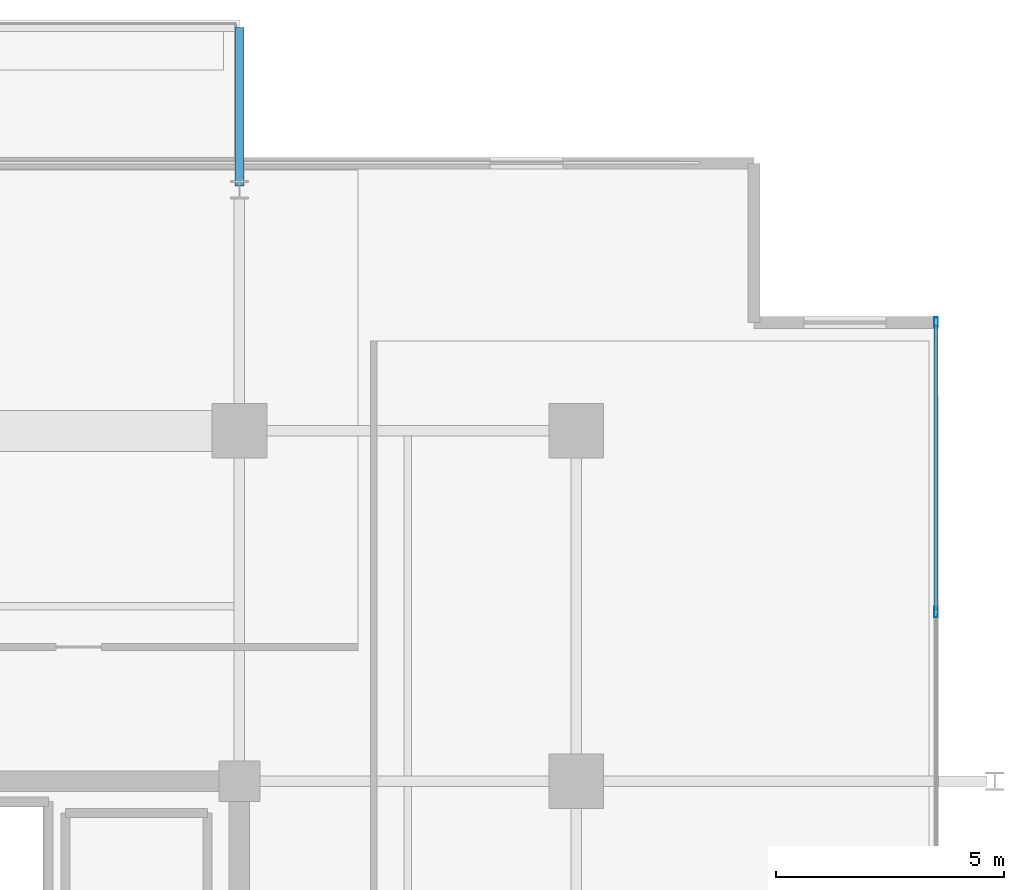
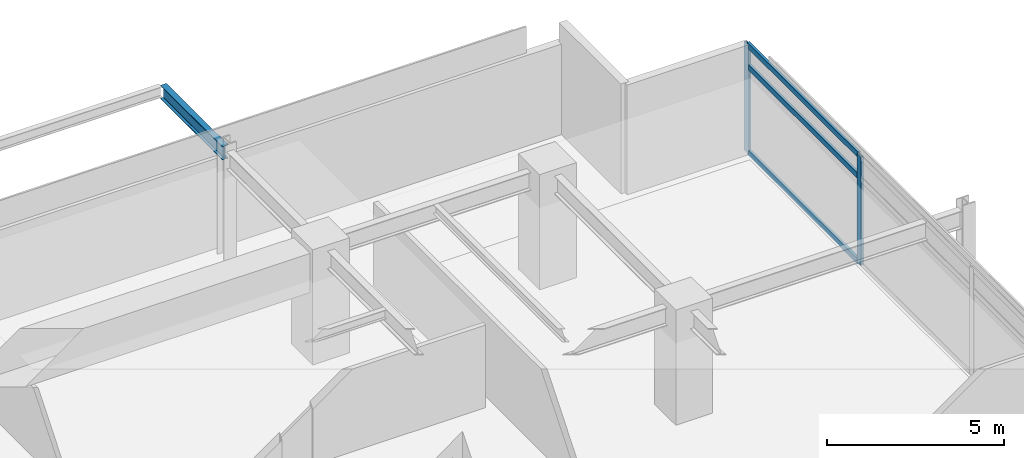
# One storey, part 13 of 23: 5 members, 1 beam, 1 element without a shape of its own.
"""IFC4 building model written with IfcOpenShell, lengths in metres."""

from ifc_helpers import new_model, si_unit, direction, frame, origin, origin_2d, place, context, subcontext, project, spatial, hollow_rectangle, i_section, extrude, material, material_profile, profile_set, type_object, element, aggregate, save


model = new_model("IFC4")

# Units and contexts
model_context = context("Model", 3, precision=1e-05, world=origin(), true_north=direction((0.0, 1.0)))
body_context = subcontext(model_context, "Body", "Model", "MODEL_VIEW")
ifc_project = project(units=[si_unit("LENGTHUNIT", "METRE"), si_unit("AREAUNIT", "SQUARE_METRE"), si_unit("VOLUMEUNIT", "CUBIC_METRE"), si_unit("PLANEANGLEUNIT", "RADIAN"), si_unit("MASSUNIT", "GRAM", prefix="KILO")], contexts=[model_context])

# Site, building, storey
site_placement = place(None, origin())
site = spatial("IfcSite", under=ifc_project, at=site_placement, CompositionType="ELEMENT")
building_placement = place(site_placement, origin())
building = spatial("IfcBuilding", under=site, at=building_placement, Name="Kovane Verandah Tower", CompositionType="ELEMENT")
storey_placement = place(building_placement, frame((0.0, 0.0, 243.199951171875)))
storey = spatial("IfcBuildingStorey", under=building, at=storey_placement, Name="L56", CompositionType="ELEMENT", Elevation=243.199951171875)

# Curtain wall, members
ifc_material_1 = material(Name="Champagne Anodised Aluminium Frame with Low-E Clear Laminated Glass", Category="aluminium")
curtain_wall_type = type_object("IfcCurtainWallType", Name="CW-SYS-05-HIGH", PredefinedType="NOTDEFINED", material=ifc_material_1)
curtain_wall_placement = place(storey_placement, origin())
curtain_wall = element("IfcCurtainWall", 1, at=curtain_wall_placement, inside=storey, type_object=curtain_wall_type, Name="L56 E Unitised Curtain Wall", PredefinedType="NOTDEFINED")
ifc_material_2 = material(Name="Champagne Anodised Aluminium 6063-T6", Category="aluminium")
ifc_material_profile_1 = material_profile(ifc_material_2, hollow_rectangle(XDim=0.0849609375, YDim=0.22998046875, WallThickness=0.00390625, at=origin_2d()), Name="AL85x230x4")
ifc_profile_set_1 = profile_set([ifc_material_profile_1], Name="Champagne Anodised Aluminium 6063-T6")
member_type_1 = type_object("IfcMemberType", Name="CW-MUL-85x230", PredefinedType="MULLION", material=ifc_profile_set_1)
member_1_placement = place(storey_placement, frame((66.3076171875, 40.219970703125, 0.02001953125), z_axis=(0.0, 0.0, 1.0), x_axis=(1.0, 0.0, 0.0)))
member_1 = element("IfcMember", 2, at=member_1_placement, type_object=member_type_1, Name="L56 E Unitised Curtain Wall Mullion 6", PredefinedType="MULLION", context=body_context, shape_type="SweptSolid", body=[
    extrude(hollow_rectangle(XDim=0.0849609375, YDim=0.22998046875, WallThickness=0.00390625, at=origin_2d()), origin(), (0.0, 0.0, 1.0), 3.7451171875),
])
member_2_placement = place(storey_placement, frame((66.3076171875, 46.580078125, 0.02001953125), z_axis=(0.0, 0.0, 1.0), x_axis=(1.0, 0.0, 0.0)))
member_2 = element("IfcMember", 3, at=member_2_placement, type_object=member_type_1, Name="L56 E Unitised Curtain Wall Mullion 7", PredefinedType="MULLION", context=body_context, shape_type="SweptSolid", body=[
    extrude(hollow_rectangle(XDim=0.0849609375, YDim=0.22998046875, WallThickness=0.00390625, at=origin_2d()), origin(), (0.0, 0.0, 1.0), 3.7451171875),
])
ifc_material_profile_2 = material_profile(ifc_material_2, hollow_rectangle(XDim=0.0849609375, YDim=0.18994140625, WallThickness=0.00390625, at=origin_2d()), Name="AL85x190x4")
ifc_profile_set_2 = profile_set([ifc_material_profile_2], Name="Champagne Anodised Aluminium 6063-T6")
member_type_2 = type_object("IfcMemberType", Name="CW-TRN-85x190", PredefinedType="USERDEFINED", material=ifc_profile_set_2)
member_3_placement = place(storey_placement, frame((66.3076171875, 40.27001953125, 0.050048828125), z_axis=(0.0, 1.0, 0.0), x_axis=(-1.0, 0.0, 0.0)))
member_3 = element("IfcMember", 4, at=member_3_placement, type_object=member_type_2, Name="L56 E Unitised Curtain Wall Transom TB Bay 6", ObjectType="TRANSOM", PredefinedType="USERDEFINED", context=body_context, shape_type="SweptSolid", body=[
    extrude(hollow_rectangle(XDim=0.0849609375, YDim=0.18994140625, WallThickness=0.00390625, at=origin_2d()), origin(), (0.0, 0.0, 1.0), 6.260009765625),
])
member_4_placement = place(storey_placement, frame((66.3076171875, 40.27001953125, 3.005126953125), z_axis=(0.0, 1.0, 0.0), x_axis=(-1.0, 0.0, 0.0)))
member_4 = element("IfcMember", 5, at=member_4_placement, type_object=member_type_2, Name="L56 E Unitised Curtain Wall Transom TM Bay 6", ObjectType="TRANSOM", PredefinedType="USERDEFINED", context=body_context, shape_type="SweptSolid", body=[
    extrude(hollow_rectangle(XDim=0.0849609375, YDim=0.18994140625, WallThickness=0.00390625, at=origin_2d()), origin(), (0.0, 0.0, 1.0), 6.260009765625),
])
member_5_placement = place(storey_placement, frame((66.3076171875, 40.27001953125, 3.735107421875), z_axis=(0.0, 1.0, 0.0), x_axis=(-1.0, 0.0, 0.0)))
member_5 = element("IfcMember", 6, at=member_5_placement, type_object=member_type_2, Name="L56 E Unitised Curtain Wall Transom TT Bay 6", ObjectType="TRANSOM", PredefinedType="USERDEFINED", context=body_context, shape_type="SweptSolid", body=[
    extrude(hollow_rectangle(XDim=0.0849609375, YDim=0.18994140625, WallThickness=0.00390625, at=origin_2d()), origin(), (0.0, 0.0, 1.0), 6.260009765625),
])
aggregate(curtain_wall, [member_1, member_2, member_3, member_4, member_5])

# Beam
ifc_material_3 = material(Name="Steel S355", Category="steel")
ifc_material_profile_3 = material_profile(ifc_material_3, i_section(OverallWidth=0.19287109375, OverallDepth=0.46728515625, WebThickness=0.011474609375, FlangeThickness=0.01953125, FilletRadius=0.01025390625, at=origin_2d()), Name="UB457x191x98")
ifc_profile_set_3 = profile_set([ifc_material_profile_3], Name="Steel S355")
beam_type = type_object("IfcBeamType", Name="JST-UB457x98", PredefinedType="JOIST", material=ifc_profile_set_3)
beam_placement = place(storey_placement, frame((51.0, 49.580078125, 3.5263671875), z_axis=(0.0, 1.0, 0.0), x_axis=(-1.0, 0.0, 0.0)))
element("IfcBeam", 7, at=beam_placement, inside=storey, type_object=beam_type, Name="L56 North Planter Girder 2", PredefinedType="JOIST", context=body_context, shape_type="SweptSolid", body=[
    extrude(i_section(OverallWidth=0.19287109375, OverallDepth=0.46728515625, WebThickness=0.011474609375, FlangeThickness=0.01953125, FilletRadius=0.01025390625, at=origin_2d()), origin(), (0.0, 0.0, 1.0), 3.488037109375),
])

save(model, "model.ifc")
